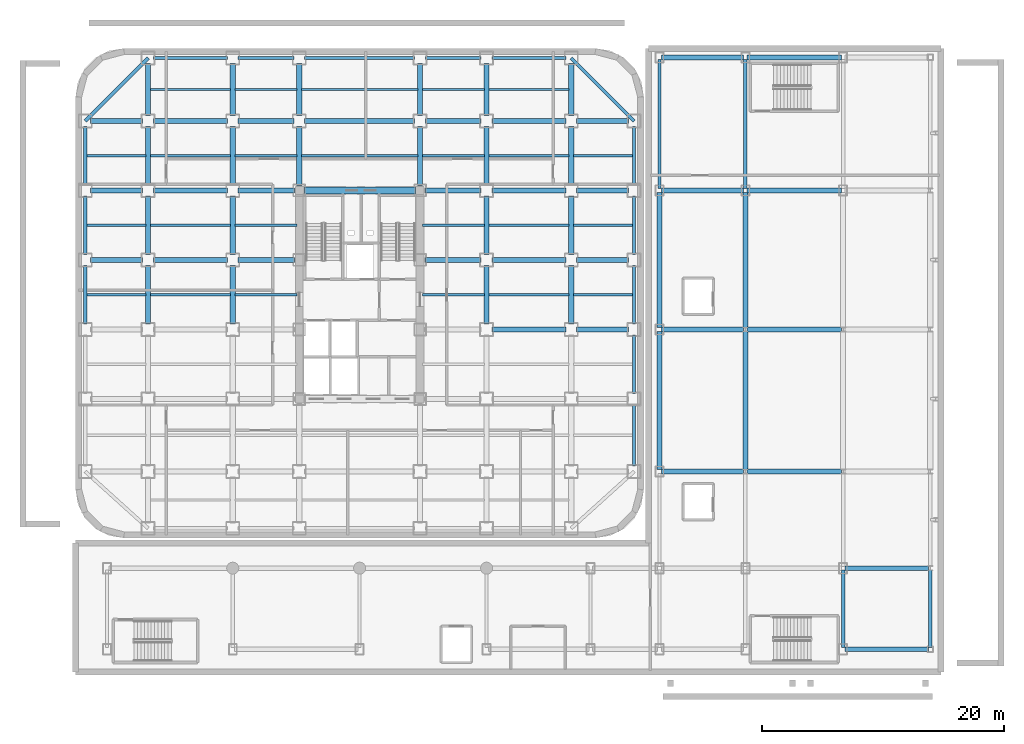
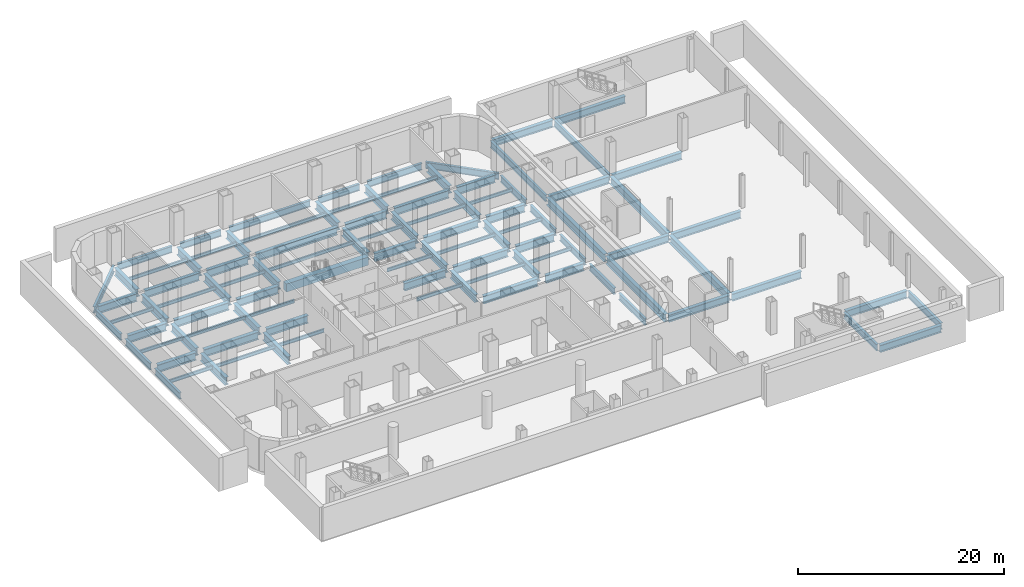
# One storey, part 6 of 16: 99 beams.
"""IFC4 building model written with IfcOpenShell, lengths in metres."""

import ifcopenshell
import ifcopenshell.guid

model = None  # the IFC model being written
_history = None  # IfcOwnerHistory: only IFC2X3 demands one
_inside = {}  # id of a spatial element -> (the spatial element, [elements in it])
_under = {}  # id of a project, library or spatial element -> (it, [spatial elements below it])
_declared = {}  # id of a project -> (the project, [libraries it declares])
_typed = {}  # id of a type object -> (the type object, [elements of that type])
_made_of = {}  # id of a material, layer set ... -> (it, [elements and type objects made of it])


def new_model(schema):
    """Start an empty IFC model of exactly this schema.

    Asked for "IFC4X3", IfcOpenShell would pick the latest addendum, in which some entities
    have other attributes; the version numbers below select the first issue.
    IFC2X3 requires an IfcOwnerHistory on every rooted entity: one is made here for all.
    """
    global model, _history
    if schema == "IFC4X3":
        model = ifcopenshell.file(schema_version=(4, 3, 0, 0))
    else:
        model = ifcopenshell.file(schema=schema)
    _inside.clear()
    _under.clear()
    _declared.clear()
    _typed.clear()
    _made_of.clear()
    _history = None
    if model.schema == "IFC2X3":
        org = make("IfcOrganization", Name="unknown")
        user = make(
            "IfcPersonAndOrganization",
            ThePerson=make("IfcPerson", FamilyName="unknown"),
            TheOrganization=org,
        )
        app = make(
            "IfcApplication",
            ApplicationDeveloper=org,
            Version="unknown",
            ApplicationFullName="unknown",
            ApplicationIdentifier="unknown",
        )
        _history = make(
            "IfcOwnerHistory",
            OwningUser=user,
            OwningApplication=app,
            ChangeAction="ADDED",
            CreationDate=0,
        )
    return model


def make(cls, **values):
    """One entity of the class cls with the attributes given. An attribute that is None is left unset."""
    return model.create_entity(
        cls, **{name: value for name, value in values.items() if value is not None}
    )


def rooted(cls, **values):
    """An entity with a GlobalId (a new one), such as an element, a storey or a relation."""
    return make(cls, GlobalId=ifcopenshell.guid.new(), OwnerHistory=_history, **values)


def si_unit(unit_type, name, prefix=None):
    """IfcSIUnit, for example si_unit("LENGTHUNIT", "METRE", prefix="MILLI")."""
    return make("IfcSIUnit", UnitType=unit_type, Prefix=prefix, Name=name)


def assignment(units):
    """IfcUnitAssignment: the units of a project."""
    return None if units is None else make("IfcUnitAssignment", Units=units)


def point(xyz):
    """IfcCartesianPoint."""
    return None if xyz is None else make("IfcCartesianPoint", Coordinates=xyz)


def direction(xyz):
    """IfcDirection."""
    return None if xyz is None else make("IfcDirection", DirectionRatios=xyz)


def frame(location, z_axis=None, x_axis=None):
    """IfcAxis2Placement3D, a coordinate frame: its origin and axes. An axis left out is left unset."""
    return make(
        "IfcAxis2Placement3D",
        Location=point(location),
        Axis=direction(z_axis),
        RefDirection=direction(x_axis),
    )


def frame_2d(location, x_axis=None):
    """IfcAxis2Placement2D, a coordinate frame in the plane: its origin and x axis."""
    return make(
        "IfcAxis2Placement2D", Location=point(location), RefDirection=direction(x_axis)
    )


def origin():
    """The frame at (0, 0, 0) with its axes left unset."""
    return frame((0.0, 0.0, 0.0))


def origin_2d():
    """The frame at (0, 0) in the plane with its x axis left unset."""
    return frame_2d((0.0, 0.0))


def place(relative_to, where):
    """IfcLocalPlacement: puts the frame where relative to a parent placement (None: the world)."""
    return make(
        "IfcLocalPlacement", PlacementRelTo=relative_to, RelativePlacement=where
    )


def context(
    kind, dimensions, precision=None, world=None, true_north=None, identifier=None
):
    """IfcGeometricRepresentationContext, for example the 3D "Model" context."""
    return make(
        "IfcGeometricRepresentationContext",
        ContextIdentifier=identifier,
        ContextType=kind,
        CoordinateSpaceDimension=dimensions,
        Precision=precision,
        WorldCoordinateSystem=world,
        TrueNorth=true_north,
    )


def subcontext(parent, identifier, kind, view, scale=None):
    """IfcGeometricRepresentationSubContext, for example "Body" below "Model"."""
    return make(
        "IfcGeometricRepresentationSubContext",
        ContextIdentifier=identifier,
        ContextType=kind,
        ParentContext=parent,
        TargetScale=scale,
        TargetView=view,
    )


def project(units=None, contexts=None):
    """IfcProject with its units and contexts."""
    return rooted(
        "IfcProject",
        Name="project",
        RepresentationContexts=contexts,
        UnitsInContext=assignment(units),
    )


def spatial(cls, under=None, at=None, **own):
    """A site, building, storey or space (cls), placed at a placement, below another one or the project."""
    s = rooted(cls, ObjectPlacement=at, **own)
    if under is not None:
        _under.setdefault(under.id(), (under, []))[1].append(s)
    return s


def profile(cls, at=None, kind="AREA", **sizes):
    """A parametric profile (cls). Its sizes go by their IFC names, for example OverallWidth=200.0."""
    return make(cls, ProfileType=kind, Position=at, **sizes)


def rectangle(**sizes):
    """IfcRectangleProfileDef."""
    return profile("IfcRectangleProfileDef", **sizes)


def i_section(**sizes):
    """IfcIShapeProfileDef."""
    return profile("IfcIShapeProfileDef", **sizes)


def extrude(swept, where, along, depth):
    """IfcExtrudedAreaSolid: the profile swept, set in the frame where, extruded along a direction by depth."""
    return make(
        "IfcExtrudedAreaSolid",
        SweptArea=swept,
        Position=where,
        ExtrudedDirection=direction(along),
        Depth=depth,
    )


def shape(context_of_items, identifier, shape_type, items):
    """IfcShapeRepresentation: the items that make up one representation, for example the "Body"."""
    return make(
        "IfcShapeRepresentation",
        ContextOfItems=context_of_items,
        RepresentationIdentifier=identifier,
        RepresentationType=shape_type,
        Items=items,
    )


def source(mapping_origin, context_of_items, identifier, shape_type, items):
    """IfcRepresentationMap: a shape defined once, which mapped items show again and again."""
    return make(
        "IfcRepresentationMap",
        MappingOrigin=mapping_origin,
        MappedRepresentation=shape(context_of_items, identifier, shape_type, items),
    )


def transform(
    local_origin,
    x_axis=None,
    y_axis=None,
    z_axis=None,
    scale=None,
    scale2=None,
    scale3=None,
    uniform=True,
):
    """IfcCartesianTransformationOperator3D, or its non-uniform kind. x_axis, y_axis, z_axis: its Axis1, 2, 3."""
    if uniform:
        return make(
            "IfcCartesianTransformationOperator3D",
            Axis1=direction(x_axis),
            Axis2=direction(y_axis),
            LocalOrigin=point(local_origin),
            Scale=scale,
            Axis3=direction(z_axis),
        )
    return make(
        "IfcCartesianTransformationOperator3DnonUniform",
        Axis1=direction(x_axis),
        Axis2=direction(y_axis),
        LocalOrigin=point(local_origin),
        Scale=scale,
        Axis3=direction(z_axis),
        Scale2=scale2,
        Scale3=scale3,
    )


def mapped(mapping_source, mapping_target):
    """IfcMappedItem: shows the shape of a source again, moved by a transform."""
    return make(
        "IfcMappedItem", MappingSource=mapping_source, MappingTarget=mapping_target
    )


def material(Name=None, Category=None):
    """IfcMaterial."""
    return make("IfcMaterial", Name=Name, Category=Category)


def material_profile(
    of_material, cross_section, Name=None, Category=None, Priority=None
):
    """IfcMaterialProfile: a cross section and its material."""
    return make(
        "IfcMaterialProfile",
        Name=Name,
        Material=of_material,
        Profile=cross_section,
        Priority=Priority,
        Category=Category,
    )


def profile_set(profiles, Name=None, composite=None):
    """IfcMaterialProfileSet."""
    return make(
        "IfcMaterialProfileSet",
        Name=Name,
        MaterialProfiles=profiles,
        CompositeProfile=composite,
    )


def made_of(thing, what):
    """Note that an element or type object is made of a material, layer set ...; save() writes the relation."""
    if what is not None:
        _made_of.setdefault(what.id(), (what, []))[1].append(thing)
    return thing


def type_object(cls, material=None, **own):
    """A type object (cls), such as IfcWallType, which elements share."""
    return made_of(rooted(cls, **own), material)


def element(
    cls,
    number,
    at=None,
    inside=None,
    cuts=None,
    type_object=None,
    material=None,
    context=None,
    identifier="Body",
    shape_type=None,
    held_by="IfcProductDefinitionShape",
    body=None,
    shapes=None,
    **own,
):
    """One element of the class cls, such as IfcWall. Its Tag is "e" and its number.

    at: its placement. inside: the storey or other place that contains it. cuts: it is an
    opening in that element (IfcRelVoidsElement). A single representation is given by context,
    identifier, shape_type and body (its items); several are given by shapes. held_by: the class
    of the entity that holds the representations. save() writes the other relations.
    """
    e = rooted(cls, Tag="e%d" % number, ObjectPlacement=at, **own)
    if body is not None:
        shapes = [shape(context, identifier, shape_type, body)]
    if shapes is not None:
        e.Representation = make(held_by, Representations=shapes)
    if inside is not None:
        _inside.setdefault(inside.id(), (inside, []))[1].append(e)
    if cuts is not None:
        rooted(
            "IfcRelVoidsElement", RelatingBuildingElement=cuts, RelatedOpeningElement=e
        )
    if type_object is not None:
        _typed.setdefault(type_object.id(), (type_object, []))[1].append(e)
    return made_of(e, material)


def aggregate(whole, parts):
    """IfcRelAggregates: a whole, such as a stair, and the parts it consists of."""
    return rooted("IfcRelAggregates", RelatingObject=whole, RelatedObjects=parts)


def save(model, path):
    """Write the relations noted so far, then the file.

    IfcRelAggregates (storeys below a building ...), IfcRelContainedInSpatialStructure (elements
    in a storey), IfcRelDefinesByType, IfcRelAssociatesMaterial and IfcRelDeclares: one each for
    every whole, place, type object, material and project.
    """
    for whole, parts in _under.values():
        aggregate(whole, parts)
    for where, things in _inside.values():
        rooted(
            "IfcRelContainedInSpatialStructure",
            RelatedElements=things,
            RelatingStructure=where,
        )
    for kind, things in _typed.values():
        rooted("IfcRelDefinesByType", RelatedObjects=things, RelatingType=kind)
    for what, things in _made_of.values():
        rooted("IfcRelAssociatesMaterial", RelatedObjects=things, RelatingMaterial=what)
    for by, libraries in _declared.values():
        rooted("IfcRelDeclares", RelatingContext=by, RelatedDefinitions=libraries)
    model.write(path)


model = new_model("IFC4")

# Units and contexts
model_context = context("Model", 3, precision=1e-05, world=origin(), true_north=direction((0.0, 1.0)))
body_context = subcontext(model_context, "Body", "Model", "MODEL_VIEW")
ifc_project = project(units=[si_unit("LENGTHUNIT", "METRE"), si_unit("AREAUNIT", "SQUARE_METRE"), si_unit("VOLUMEUNIT", "CUBIC_METRE"), si_unit("PLANEANGLEUNIT", "RADIAN"), si_unit("MASSUNIT", "GRAM", prefix="KILO")], contexts=[model_context])

# Site, building, storey
site_placement = place(None, origin())
site = spatial("IfcSite", under=ifc_project, at=site_placement, CompositionType="ELEMENT")
building_placement = place(site_placement, origin())
building = spatial("IfcBuilding", under=site, at=building_placement, Name="Kolveth Station Tower", CompositionType="ELEMENT")
storey_placement = place(building_placement, frame((0.0, 0.0, -4.199951171875)))
storey = spatial("IfcBuildingStorey", under=building, at=storey_placement, Name="B1", CompositionType="ELEMENT", Elevation=-4.199951171875)

# Beams
ifc_material_1 = material(Name="Steel S355", Category="steel")
ifc_material_profile_1 = material_profile(ifc_material_1, i_section(OverallWidth=0.26904296875, OverallDepth=0.77490234375, WebThickness=0.01708984375, FlangeThickness=0.0283203125, at=origin_2d()), Name="W760x220")
ifc_profile_set_1 = profile_set([ifc_material_profile_1], Name="Steel S355")
beam_type_1 = type_object("IfcBeamType", Name="Beam_SP1", PredefinedType="SPANDREL", material=ifc_profile_set_1)
shared_shape_1 = source(origin(), body_context, "Body", "SweptSolid", [
    extrude(i_section(OverallWidth=0.26904296875, OverallDepth=0.77490234375, WebThickness=0.01708984375, FlangeThickness=0.0283203125, at=origin_2d()), origin(), (0.0, 0.0, 1.0), 6.10009765625),
])
for number, where, z_axis, x_axis, name in (
    (1, (6.449951171875, 39.699951171875, -0.70751953125), (1.0, 0.0, 0.0), (0.0, 1.0, 0.0), "B1 Perimeter Spandrel BM-B1-PN-1"),
    (2, (34.449951171875, 39.699951171875, -0.70751953125), (1.0, 0.0, 0.0), (0.0, 1.0, 0.0), "B1 Perimeter Spandrel BM-B1-PN-5"),
):
    element("IfcBeam", number, at=place(storey_placement, frame(where, z_axis=z_axis, x_axis=x_axis)), inside=storey, type_object=beam_type_1, Name=name, PredefinedType="SPANDREL", context=body_context, shape_type="MappedRepresentation", body=[
        mapped(shared_shape_1, transform((0.0, 0.0, 0.0), x_axis=(1.0, 0.0, 0.0), y_axis=(0.0, 1.0, 0.0), z_axis=(0.0, 0.0, 1.0), scale=1.0)),
    ])
shared_shape_2 = source(origin(), body_context, "Body", "SweptSolid", [
    extrude(i_section(OverallWidth=0.26904296875, OverallDepth=0.77490234375, WebThickness=0.01708984375, FlangeThickness=0.0283203125, at=origin_2d()), origin(), (0.0, 0.0, 1.0), 4.60009765625),
])
for number, where, z_axis, x_axis, name in (
    (3, (13.449951171875, 39.699951171875, -0.70751953125), (1.0, 0.0, 0.0), (0.0, 1.0, 0.0), "B1 Perimeter Spandrel BM-B1-PN-2"),
    (4, (28.949951171875, 39.699951171875, -0.70751953125), (1.0, 0.0, 0.0), (0.0, 1.0, 0.0), "B1 Perimeter Spandrel BM-B1-PN-4"),
):
    element("IfcBeam", number, at=place(storey_placement, frame(where, z_axis=z_axis, x_axis=x_axis)), inside=storey, type_object=beam_type_1, Name=name, PredefinedType="SPANDREL", context=body_context, shape_type="MappedRepresentation", body=[
        mapped(shared_shape_2, transform((0.0, 0.0, 0.0), x_axis=(1.0, 0.0, 0.0), y_axis=(0.0, 1.0, 0.0), z_axis=(0.0, 0.0, 1.0), scale=1.0)),
    ])
shared_shape_3 = source(origin(), body_context, "Body", "SweptSolid", [
    extrude(i_section(OverallWidth=0.26904296875, OverallDepth=0.77490234375, WebThickness=0.01708984375, FlangeThickness=0.0283203125, at=origin_2d()), origin(), (0.0, 0.0, 1.0), 9.10009765625),
])
beam_1_placement = place(storey_placement, frame((18.949951171875, 39.699951171875, -0.70751953125), z_axis=(1.0, 0.0, 0.0), x_axis=(0.0, 1.0, 0.0)))
element("IfcBeam", 5, at=beam_1_placement, inside=storey, type_object=beam_type_1, Name="B1 Perimeter Spandrel BM-B1-PN-3", PredefinedType="SPANDREL", context=body_context, shape_type="MappedRepresentation", body=[
    mapped(shared_shape_3, transform((0.0, 0.0, 0.0), x_axis=(1.0, 0.0, 0.0), y_axis=(0.0, 1.0, 0.0), z_axis=(0.0, 0.0, 1.0), scale=1.0)),
])
shared_shape_4 = source(origin(), body_context, "Body", "SweptSolid", [
    extrude(i_section(OverallWidth=0.26904296875, OverallDepth=0.77490234375, WebThickness=0.01708984375, FlangeThickness=0.0283203125, at=origin_2d()), origin(), (0.0, 0.0, 1.0), 5.10009765625),
])
beam_2_placement = place(storey_placement, frame((46.199951171875, 5.949951171875, -0.70751953125), z_axis=(0.0, 1.0, 0.0), x_axis=(-1.0, 0.0, 0.0)))
element("IfcBeam", 6, at=beam_2_placement, inside=storey, type_object=beam_type_1, Name="B1 Perimeter Spandrel BM-B1-PE-1", PredefinedType="SPANDREL", context=body_context, shape_type="MappedRepresentation", body=[
    mapped(shared_shape_4, transform((0.0, 0.0, 0.0), x_axis=(1.0, 0.0, 0.0), y_axis=(0.0, 1.0, 0.0), z_axis=(0.0, 0.0, 1.0), scale=1.0)),
])
shared_shape_5 = source(origin(), body_context, "Body", "SweptSolid", [
    extrude(i_section(OverallWidth=0.26904296875, OverallDepth=0.77490234375, WebThickness=0.01708984375, FlangeThickness=0.0283203125, at=origin_2d()), origin(), (0.0, 0.0, 1.0), 4.85009765625),
])
for number, where, z_axis, x_axis, name in (
    (7, (0.800048828125, 17.699951171875, -0.70751953125), (0.0, 1.0, 0.0), (-1.0, 0.0, 0.0), "B1 Perimeter Spandrel BM-B1-PW-3"),
    (8, (0.800048828125, 23.449951171875, -0.70751953125), (0.0, 1.0, 0.0), (-1.0, 0.0, 0.0), "B1 Perimeter Spandrel BM-B1-PW-4"),
    (9, (0.800048828125, 29.199951171875, -0.70751953125), (0.0, 1.0, 0.0), (-1.0, 0.0, 0.0), "B1 Perimeter Spandrel BM-B1-PW-5"),
    (10, (46.199951171875, 11.949951171875, -0.70751953125), (0.0, 1.0, 0.0), (-1.0, 0.0, 0.0), "B1 Perimeter Spandrel BM-B1-PE-2"),
    (11, (46.199951171875, 17.699951171875, -0.70751953125), (0.0, 1.0, 0.0), (-1.0, 0.0, 0.0), "B1 Perimeter Spandrel BM-B1-PE-3"),
    (12, (46.199951171875, 23.449951171875, -0.70751953125), (0.0, 1.0, 0.0), (-1.0, 0.0, 0.0), "B1 Perimeter Spandrel BM-B1-PE-4"),
    (13, (46.199951171875, 29.199951171875, -0.70751953125), (0.0, 1.0, 0.0), (-1.0, 0.0, 0.0), "B1 Perimeter Spandrel BM-B1-PE-5"),
):
    element("IfcBeam", number, at=place(storey_placement, frame(where, z_axis=z_axis, x_axis=x_axis)), inside=storey, type_object=beam_type_1, Name=name, PredefinedType="SPANDREL", context=body_context, shape_type="MappedRepresentation", body=[
        mapped(shared_shape_5, transform((0.0, 0.0, 0.0), x_axis=(1.0, 0.0, 0.0), y_axis=(0.0, 1.0, 0.0), z_axis=(0.0, 0.0, 1.0), scale=1.0)),
    ])
shared_shape_6 = source(origin(), body_context, "Body", "SweptSolid", [
    extrude(i_section(OverallWidth=0.26904296875, OverallDepth=0.77490234375, WebThickness=0.01708984375, FlangeThickness=0.0283203125, at=origin_2d()), origin(), (0.0, 0.0, 1.0), 7.353759765625),
])
for number, where, z_axis, x_axis, name in (
    (14, (46.199951171875, 34.5, -0.70751953125), (-0.707106781187, 0.707106781187, 0.0), (-0.707106781187, -0.707106781187, 0.0), "B1 Corner Edge Girder BM-B1-CNR-NE"),
    (15, (6.0, 39.699951171875, -0.70751953125), (-0.707106781187, -0.707106781187, 0.0), (0.707106781187, -0.707106781187, 0.0), "B1 Corner Edge Girder BM-B1-CNR-NW"),
):
    element("IfcBeam", number, at=place(storey_placement, frame(where, z_axis=z_axis, x_axis=x_axis)), inside=storey, type_object=beam_type_1, Name=name, PredefinedType="SPANDREL", context=body_context, shape_type="MappedRepresentation", body=[
        mapped(shared_shape_6, transform((0.0, 0.0, 0.0), x_axis=(1.0, 0.0, 0.0), y_axis=(0.0, 1.0, 0.0), z_axis=(0.0, 0.0, 1.0), scale=1.0)),
    ])
ifc_material_profile_2 = material_profile(ifc_material_1, i_section(OverallWidth=0.41796875, OverallDepth=0.912109375, WebThickness=0.019287109375, FlangeThickness=0.031982421875, at=origin_2d()), Name="W920x342")
ifc_profile_set_2 = profile_set([ifc_material_profile_2], Name="Steel S355")
beam_type_2 = type_object("IfcBeamType", Name="Beam_B1", PredefinedType="BEAM", material=ifc_profile_set_2)
shared_shape_7 = source(origin(), body_context, "Body", "SweptSolid", [
    extrude(i_section(OverallWidth=0.41796875, OverallDepth=0.912109375, WebThickness=0.019287109375, FlangeThickness=0.031982421875, at=origin_2d()), origin(), (0.0, 0.0, 1.0), 4.300048828125),
])
for number, where, z_axis, x_axis, name in (
    (16, (41.449951171875, 17.25, -0.776123046875), (1.0, 0.0, 0.0), (0.0, 1.0, 0.0), "B1 Primary Girder BM-B1-GY172-7"),
    (17, (1.25, 23.0, -0.776123046875), (1.0, 0.0, 0.0), (0.0, 1.0, 0.0), "B1 Primary Girder BM-B1-GY230-1"),
    (18, (41.449951171875, 23.0, -0.776123046875), (1.0, 0.0, 0.0), (0.0, 1.0, 0.0), "B1 Primary Girder BM-B1-GY230-7"),
    (19, (1.25, 28.75, -0.776123046875), (1.0, 0.0, 0.0), (0.0, 1.0, 0.0), "B1 Primary Girder BM-B1-GY287-1"),
    (20, (41.449951171875, 28.75, -0.776123046875), (1.0, 0.0, 0.0), (0.0, 1.0, 0.0), "B1 Primary Girder BM-B1-GY287-7"),
    (21, (1.25, 34.5, -0.776123046875), (1.0, 0.0, 0.0), (0.0, 1.0, 0.0), "B1 Primary Girder BM-B1-GY345-1"),
    (22, (41.449951171875, 34.5, -0.776123046875), (1.0, 0.0, 0.0), (0.0, 1.0, 0.0), "B1 Primary Girder BM-B1-GY345-7"),
    (23, (6.0, 34.949951171875, -0.776123046875), (0.0, 1.0, 0.0), (-1.0, 0.0, 0.0), "B1 Primary Girder BM-B1-GX60-7"),
    (24, (13.0, 34.949951171875, -0.776123046875), (0.0, 1.0, 0.0), (-1.0, 0.0, 0.0), "B1 Primary Girder BM-B1-GX130-7"),
    (25, (18.5, 34.949951171875, -0.776123046875), (0.0, 1.0, 0.0), (-1.0, 0.0, 0.0), "B1 Primary Girder BM-B1-GX185-7"),
    (26, (28.5, 34.949951171875, -0.776123046875), (0.0, 1.0, 0.0), (-1.0, 0.0, 0.0), "B1 Primary Girder BM-B1-GX285-7"),
    (27, (34.0, 34.949951171875, -0.776123046875), (0.0, 1.0, 0.0), (-1.0, 0.0, 0.0), "B1 Primary Girder BM-B1-GX340-7"),
    (28, (41.0, 34.949951171875, -0.776123046875), (0.0, 1.0, 0.0), (-1.0, 0.0, 0.0), "B1 Primary Girder BM-B1-GX410-7"),
):
    element("IfcBeam", number, at=place(storey_placement, frame(where, z_axis=z_axis, x_axis=x_axis)), inside=storey, type_object=beam_type_2, Name=name, PredefinedType="BEAM", context=body_context, shape_type="MappedRepresentation", body=[
        mapped(shared_shape_7, transform((0.0, 0.0, 0.0), x_axis=(1.0, 0.0, 0.0), y_axis=(0.0, 1.0, 0.0), z_axis=(0.0, 0.0, 1.0), scale=1.0)),
    ])
shared_shape_8 = source(origin(), body_context, "Body", "SweptSolid", [
    extrude(i_section(OverallWidth=0.41796875, OverallDepth=0.912109375, WebThickness=0.019287109375, FlangeThickness=0.031982421875, at=origin_2d()), origin(), (0.0, 0.0, 1.0), 6.10009765625),
])
for number, where, z_axis, x_axis, name in (
    (29, (34.449951171875, 17.25, -0.776123046875), (1.0, 0.0, 0.0), (0.0, 1.0, 0.0), "B1 Primary Girder BM-B1-GY172-6"),
    (30, (6.449951171875, 23.0, -0.776123046875), (1.0, 0.0, 0.0), (0.0, 1.0, 0.0), "B1 Primary Girder BM-B1-GY230-2"),
    (31, (34.449951171875, 23.0, -0.776123046875), (1.0, 0.0, 0.0), (0.0, 1.0, 0.0), "B1 Primary Girder BM-B1-GY230-6"),
    (32, (6.449951171875, 28.75, -0.776123046875), (1.0, 0.0, 0.0), (0.0, 1.0, 0.0), "B1 Primary Girder BM-B1-GY287-2"),
    (33, (34.449951171875, 28.75, -0.776123046875), (1.0, 0.0, 0.0), (0.0, 1.0, 0.0), "B1 Primary Girder BM-B1-GY287-6"),
    (34, (6.449951171875, 34.5, -0.776123046875), (1.0, 0.0, 0.0), (0.0, 1.0, 0.0), "B1 Primary Girder BM-B1-GY345-2"),
    (35, (34.449951171875, 34.5, -0.776123046875), (1.0, 0.0, 0.0), (0.0, 1.0, 0.0), "B1 Primary Girder BM-B1-GY345-6"),
):
    element("IfcBeam", number, at=place(storey_placement, frame(where, z_axis=z_axis, x_axis=x_axis)), inside=storey, type_object=beam_type_2, Name=name, PredefinedType="BEAM", context=body_context, shape_type="MappedRepresentation", body=[
        mapped(shared_shape_8, transform((0.0, 0.0, 0.0), x_axis=(1.0, 0.0, 0.0), y_axis=(0.0, 1.0, 0.0), z_axis=(0.0, 0.0, 1.0), scale=1.0)),
    ])
shared_shape_9 = source(origin(), body_context, "Body", "SweptSolid", [
    extrude(i_section(OverallWidth=0.41796875, OverallDepth=0.912109375, WebThickness=0.019287109375, FlangeThickness=0.031982421875, at=origin_2d()), origin(), (0.0, 0.0, 1.0), 4.60009765625),
])
for number, where, z_axis, x_axis, name in (
    (36, (13.449951171875, 34.5, -0.776123046875), (1.0, 0.0, 0.0), (0.0, 1.0, 0.0), "B1 Primary Girder BM-B1-GY345-3"),
    (37, (28.949951171875, 34.5, -0.776123046875), (1.0, 0.0, 0.0), (0.0, 1.0, 0.0), "B1 Primary Girder BM-B1-GY345-5"),
):
    element("IfcBeam", number, at=place(storey_placement, frame(where, z_axis=z_axis, x_axis=x_axis)), inside=storey, type_object=beam_type_2, Name=name, PredefinedType="BEAM", context=body_context, shape_type="MappedRepresentation", body=[
        mapped(shared_shape_9, transform((0.0, 0.0, 0.0), x_axis=(1.0, 0.0, 0.0), y_axis=(0.0, 1.0, 0.0), z_axis=(0.0, 0.0, 1.0), scale=1.0)),
    ])
shared_shape_10 = source(origin(), body_context, "Body", "SweptSolid", [
    extrude(i_section(OverallWidth=0.41796875, OverallDepth=0.912109375, WebThickness=0.019287109375, FlangeThickness=0.031982421875, at=origin_2d()), origin(), (0.0, 0.0, 1.0), 9.10009765625),
])
beam_3_placement = place(storey_placement, frame((18.949951171875, 34.5, -0.776123046875), z_axis=(1.0, 0.0, 0.0), x_axis=(0.0, 1.0, 0.0)))
element("IfcBeam", 38, at=beam_3_placement, inside=storey, type_object=beam_type_2, Name="B1 Primary Girder BM-B1-GY345-4", PredefinedType="BEAM", context=body_context, shape_type="MappedRepresentation", body=[
    mapped(shared_shape_10, transform((0.0, 0.0, 0.0), x_axis=(1.0, 0.0, 0.0), y_axis=(0.0, 1.0, 0.0), z_axis=(0.0, 0.0, 1.0), scale=1.0)),
])
shared_shape_11 = source(origin(), body_context, "Body", "SweptSolid", [
    extrude(i_section(OverallWidth=0.41796875, OverallDepth=0.912109375, WebThickness=0.019287109375, FlangeThickness=0.031982421875, at=origin_2d()), origin(), (0.0, 0.0, 1.0), 4.650146484375),
])
for number, where, z_axis, x_axis, name in (
    (39, (13.449951171875, 23.0, -0.776123046875), (1.0, 0.0, 0.0), (0.0, 1.0, 0.0), "B1 Primary Girder BM-B1-GY230-3"),
    (40, (28.89990234375, 23.0, -0.776123046875), (1.0, 0.0, 0.0), (0.0, 1.0, 0.0), "B1 Primary Girder BM-B1-GY230-5"),
    (41, (13.449951171875, 28.75, -0.776123046875), (1.0, 0.0, 0.0), (0.0, 1.0, 0.0), "B1 Primary Girder BM-B1-GY287-3"),
    (42, (28.89990234375, 28.75, -0.776123046875), (1.0, 0.0, 0.0), (0.0, 1.0, 0.0), "B1 Primary Girder BM-B1-GY287-5"),
):
    element("IfcBeam", number, at=place(storey_placement, frame(where, z_axis=z_axis, x_axis=x_axis)), inside=storey, type_object=beam_type_2, Name=name, PredefinedType="BEAM", context=body_context, shape_type="MappedRepresentation", body=[
        mapped(shared_shape_11, transform((0.0, 0.0, 0.0), x_axis=(1.0, 0.0, 0.0), y_axis=(0.0, 1.0, 0.0), z_axis=(0.0, 0.0, 1.0), scale=1.0)),
    ])
ifc_material_2 = material(Name="Concrete C60/75", Category="concrete")
ifc_material_profile_3 = material_profile(ifc_material_2, rectangle(XDim=0.60009765625, YDim=0.949951171875, at=origin_2d()), Name="RC-600x950")
ifc_profile_set_3 = profile_set([ifc_material_profile_3], Name="Concrete C60/75")
beam_type_3 = type_object("IfcBeamType", Name="Beam_CB1", PredefinedType="BEAM", material=ifc_profile_set_3)
shared_shape_12 = source(origin(), body_context, "Body", "SweptSolid", [
    extrude(rectangle(XDim=0.60009765625, YDim=0.949951171875, at=origin_2d()), origin(), (0.0, 0.0, 1.0), 9.2001953125),
])
beam_4_placement = place(storey_placement, frame((18.89990234375, 28.75, -0.795166015625), z_axis=(1.0, 0.0, 0.0), x_axis=(0.0, 1.0, 0.0)))
element("IfcBeam", 43, at=beam_4_placement, inside=storey, type_object=beam_type_3, Name="B1 Core Coupling Beam BM-B1-CB-Y287", PredefinedType="BEAM", context=body_context, shape_type="MappedRepresentation", body=[
    mapped(shared_shape_12, transform((0.0, 0.0, 0.0), x_axis=(1.0, 0.0, 0.0), y_axis=(0.0, 1.0, 0.0), z_axis=(0.0, 0.0, 1.0), scale=1.0)),
])
shared_shape_13 = source(origin(), body_context, "Body", "SweptSolid", [
    extrude(i_section(OverallWidth=0.41796875, OverallDepth=0.912109375, WebThickness=0.019287109375, FlangeThickness=0.031982421875, at=origin_2d()), origin(), (0.0, 0.0, 1.0), 4.85009765625),
])
for number, where, z_axis, x_axis, name in (
    (44, (6.0, 17.699951171875, -0.776123046875), (0.0, 1.0, 0.0), (-1.0, 0.0, 0.0), "B1 Primary Girder BM-B1-GX60-4"),
    (45, (6.0, 23.449951171875, -0.776123046875), (0.0, 1.0, 0.0), (-1.0, 0.0, 0.0), "B1 Primary Girder BM-B1-GX60-5"),
    (46, (6.0, 29.199951171875, -0.776123046875), (0.0, 1.0, 0.0), (-1.0, 0.0, 0.0), "B1 Primary Girder BM-B1-GX60-6"),
    (47, (13.0, 17.699951171875, -0.776123046875), (0.0, 1.0, 0.0), (-1.0, 0.0, 0.0), "B1 Primary Girder BM-B1-GX130-4"),
    (48, (13.0, 23.449951171875, -0.776123046875), (0.0, 1.0, 0.0), (-1.0, 0.0, 0.0), "B1 Primary Girder BM-B1-GX130-5"),
    (49, (13.0, 29.199951171875, -0.776123046875), (0.0, 1.0, 0.0), (-1.0, 0.0, 0.0), "B1 Primary Girder BM-B1-GX130-6"),
    (50, (34.0, 17.699951171875, -0.776123046875), (0.0, 1.0, 0.0), (-1.0, 0.0, 0.0), "B1 Primary Girder BM-B1-GX340-4"),
    (51, (34.0, 23.449951171875, -0.776123046875), (0.0, 1.0, 0.0), (-1.0, 0.0, 0.0), "B1 Primary Girder BM-B1-GX340-5"),
    (52, (34.0, 29.199951171875, -0.776123046875), (0.0, 1.0, 0.0), (-1.0, 0.0, 0.0), "B1 Primary Girder BM-B1-GX340-6"),
    (53, (41.0, 17.699951171875, -0.776123046875), (0.0, 1.0, 0.0), (-1.0, 0.0, 0.0), "B1 Primary Girder BM-B1-GX410-4"),
    (54, (41.0, 23.449951171875, -0.776123046875), (0.0, 1.0, 0.0), (-1.0, 0.0, 0.0), "B1 Primary Girder BM-B1-GX410-5"),
    (55, (41.0, 29.199951171875, -0.776123046875), (0.0, 1.0, 0.0), (-1.0, 0.0, 0.0), "B1 Primary Girder BM-B1-GX410-6"),
):
    element("IfcBeam", number, at=place(storey_placement, frame(where, z_axis=z_axis, x_axis=x_axis)), inside=storey, type_object=beam_type_2, Name=name, PredefinedType="BEAM", context=body_context, shape_type="MappedRepresentation", body=[
        mapped(shared_shape_13, transform((0.0, 0.0, 0.0), x_axis=(1.0, 0.0, 0.0), y_axis=(0.0, 1.0, 0.0), z_axis=(0.0, 0.0, 1.0), scale=1.0)),
    ])
shared_shape_14 = source(origin(), body_context, "Body", "SweptSolid", [
    extrude(i_section(OverallWidth=0.41796875, OverallDepth=0.912109375, WebThickness=0.019287109375, FlangeThickness=0.031982421875, at=origin_2d()), origin(), (0.0, 0.0, 1.0), 4.900146484375),
])
for number, where, z_axis, x_axis, name in (
    (56, (18.5, 29.14990234375, -0.776123046875), (0.0, 1.0, 0.0), (-1.0, 0.0, 0.0), "B1 Primary Girder BM-B1-GX185-6"),
    (57, (28.5, 29.14990234375, -0.776123046875), (0.0, 1.0, 0.0), (-1.0, 0.0, 0.0), "B1 Primary Girder BM-B1-GX285-6"),
):
    element("IfcBeam", number, at=place(storey_placement, frame(where, z_axis=z_axis, x_axis=x_axis)), inside=storey, type_object=beam_type_2, Name=name, PredefinedType="BEAM", context=body_context, shape_type="MappedRepresentation", body=[
        mapped(shared_shape_14, transform((0.0, 0.0, 0.0), x_axis=(1.0, 0.0, 0.0), y_axis=(0.0, 1.0, 0.0), z_axis=(0.0, 0.0, 1.0), scale=1.0)),
    ])
ifc_material_profile_4 = material_profile(ifc_material_1, i_section(OverallWidth=0.177978515625, OverallDepth=0.406982421875, WebThickness=0.0078125, FlangeThickness=0.0126953125, at=origin_2d()), Name="W410x60")
ifc_profile_set_4 = profile_set([ifc_material_profile_4], Name="Steel S355")
beam_type_4 = type_object("IfcBeamType", Name="Beam_J1", PredefinedType="JOIST", material=ifc_profile_set_4)
shared_shape_15 = source(origin(), body_context, "Body", "SweptSolid", [
    extrude(i_section(OverallWidth=0.177978515625, OverallDepth=0.406982421875, WebThickness=0.0078125, FlangeThickness=0.0126953125, at=origin_2d()), origin(), (0.0, 0.0, 1.0), 4.872314453125),
])
for number, where, z_axis, x_axis, name in (
    (58, (0.9326171875, 20.125, -0.5234375), (1.0, 0.0, 0.0), (0.0, 1.0, 0.0), "B1 Secondary Joist JST-B1-1-4"),
    (59, (0.9326171875, 25.875, -0.5234375), (1.0, 0.0, 0.0), (0.0, 1.0, 0.0), "B1 Secondary Joist JST-B1-1-5"),
    (60, (0.9326171875, 31.625, -0.5234375), (1.0, 0.0, 0.0), (0.0, 1.0, 0.0), "B1 Secondary Joist JST-B1-1-6"),
    (61, (41.195068359375, 20.125, -0.5234375), (1.0, 0.0, 0.0), (0.0, 1.0, 0.0), "B1 Secondary Joist JST-B1-7-4"),
    (62, (41.195068359375, 25.875, -0.5234375), (1.0, 0.0, 0.0), (0.0, 1.0, 0.0), "B1 Secondary Joist JST-B1-7-5"),
    (63, (41.195068359375, 31.625, -0.5234375), (1.0, 0.0, 0.0), (0.0, 1.0, 0.0), "B1 Secondary Joist JST-B1-7-6"),
):
    element("IfcBeam", number, at=place(storey_placement, frame(where, z_axis=z_axis, x_axis=x_axis)), inside=storey, type_object=beam_type_4, Name=name, PredefinedType="JOIST", context=body_context, shape_type="MappedRepresentation", body=[
        mapped(shared_shape_15, transform((0.0, 0.0, 0.0), x_axis=(1.0, 0.0, 0.0), y_axis=(0.0, 1.0, 0.0), z_axis=(0.0, 0.0, 1.0), scale=1.0)),
    ])
shared_shape_16 = source(origin(), body_context, "Body", "SweptSolid", [
    extrude(i_section(OverallWidth=0.177978515625, OverallDepth=0.406982421875, WebThickness=0.0078125, FlangeThickness=0.0126953125, at=origin_2d()), origin(), (0.0, 0.0, 1.0), 6.60986328125),
])
for number, where, z_axis, x_axis, name in (
    (64, (6.195068359375, 20.125, -0.5234375), (1.0, 0.0, 0.0), (0.0, 1.0, 0.0), "B1 Secondary Joist JST-B1-2-4"),
    (65, (6.195068359375, 25.875, -0.5234375), (1.0, 0.0, 0.0), (0.0, 1.0, 0.0), "B1 Secondary Joist JST-B1-2-5"),
    (66, (6.195068359375, 31.625, -0.5234375), (1.0, 0.0, 0.0), (0.0, 1.0, 0.0), "B1 Secondary Joist JST-B1-2-6"),
    (67, (6.195068359375, 37.10009765625, -0.5234375), (1.0, 0.0, 0.0), (0.0, 1.0, 0.0), "B1 Secondary Joist JST-B1-2-7"),
    (68, (34.195068359375, 20.125, -0.5234375), (1.0, 0.0, 0.0), (0.0, 1.0, 0.0), "B1 Secondary Joist JST-B1-6-4"),
    (69, (34.195068359375, 25.875, -0.5234375), (1.0, 0.0, 0.0), (0.0, 1.0, 0.0), "B1 Secondary Joist JST-B1-6-5"),
    (70, (34.195068359375, 31.625, -0.5234375), (1.0, 0.0, 0.0), (0.0, 1.0, 0.0), "B1 Secondary Joist JST-B1-6-6"),
    (71, (34.195068359375, 37.10009765625, -0.5234375), (1.0, 0.0, 0.0), (0.0, 1.0, 0.0), "B1 Secondary Joist JST-B1-6-7"),
):
    element("IfcBeam", number, at=place(storey_placement, frame(where, z_axis=z_axis, x_axis=x_axis)), inside=storey, type_object=beam_type_4, Name=name, PredefinedType="JOIST", context=body_context, shape_type="MappedRepresentation", body=[
        mapped(shared_shape_16, transform((0.0, 0.0, 0.0), x_axis=(1.0, 0.0, 0.0), y_axis=(0.0, 1.0, 0.0), z_axis=(0.0, 0.0, 1.0), scale=1.0)),
    ])
shared_shape_17 = source(origin(), body_context, "Body", "SweptSolid", [
    extrude(i_section(OverallWidth=0.177978515625, OverallDepth=0.406982421875, WebThickness=0.0078125, FlangeThickness=0.0126953125, at=origin_2d()), origin(), (0.0, 0.0, 1.0), 5.10986328125),
])
for number, where, z_axis, x_axis, name in (
    (72, (13.195068359375, 20.125, -0.5234375), (1.0, 0.0, 0.0), (0.0, 1.0, 0.0), "B1 Secondary Joist JST-B1-3-4"),
    (73, (13.195068359375, 25.875, -0.5234375), (1.0, 0.0, 0.0), (0.0, 1.0, 0.0), "B1 Secondary Joist JST-B1-3-5"),
    (74, (13.195068359375, 31.625, -0.5234375), (1.0, 0.0, 0.0), (0.0, 1.0, 0.0), "B1 Secondary Joist JST-B1-3-6"),
    (75, (13.195068359375, 37.10009765625, -0.5234375), (1.0, 0.0, 0.0), (0.0, 1.0, 0.0), "B1 Secondary Joist JST-B1-3-7"),
    (76, (28.695068359375, 20.125, -0.5234375), (1.0, 0.0, 0.0), (0.0, 1.0, 0.0), "B1 Secondary Joist JST-B1-5-4"),
    (77, (28.695068359375, 25.875, -0.5234375), (1.0, 0.0, 0.0), (0.0, 1.0, 0.0), "B1 Secondary Joist JST-B1-5-5"),
    (78, (28.695068359375, 31.625, -0.5234375), (1.0, 0.0, 0.0), (0.0, 1.0, 0.0), "B1 Secondary Joist JST-B1-5-6"),
    (79, (28.695068359375, 37.10009765625, -0.5234375), (1.0, 0.0, 0.0), (0.0, 1.0, 0.0), "B1 Secondary Joist JST-B1-5-7"),
):
    element("IfcBeam", number, at=place(storey_placement, frame(where, z_axis=z_axis, x_axis=x_axis)), inside=storey, type_object=beam_type_4, Name=name, PredefinedType="JOIST", context=body_context, shape_type="MappedRepresentation", body=[
        mapped(shared_shape_17, transform((0.0, 0.0, 0.0), x_axis=(1.0, 0.0, 0.0), y_axis=(0.0, 1.0, 0.0), z_axis=(0.0, 0.0, 1.0), scale=1.0)),
    ])
shared_shape_18 = source(origin(), body_context, "Body", "SweptSolid", [
    extrude(i_section(OverallWidth=0.177978515625, OverallDepth=0.406982421875, WebThickness=0.0078125, FlangeThickness=0.0126953125, at=origin_2d()), origin(), (0.0, 0.0, 1.0), 9.60986328125),
])
for number, where, z_axis, x_axis, name in (
    (80, (18.695068359375, 31.625, -0.5234375), (1.0, 0.0, 0.0), (0.0, 1.0, 0.0), "B1 Secondary Joist JST-B1-4-6"),
    (81, (18.695068359375, 37.10009765625, -0.5234375), (1.0, 0.0, 0.0), (0.0, 1.0, 0.0), "B1 Secondary Joist JST-B1-4-7"),
):
    element("IfcBeam", number, at=place(storey_placement, frame(where, z_axis=z_axis, x_axis=x_axis)), inside=storey, type_object=beam_type_4, Name=name, PredefinedType="JOIST", context=body_context, shape_type="MappedRepresentation", body=[
        mapped(shared_shape_18, transform((0.0, 0.0, 0.0), x_axis=(1.0, 0.0, 0.0), y_axis=(0.0, 1.0, 0.0), z_axis=(0.0, 0.0, 1.0), scale=1.0)),
    ])
ifc_material_profile_5 = material_profile(ifc_material_1, i_section(OverallWidth=0.40087890625, OverallDepth=0.85107421875, WebThickness=0.01611328125, FlangeThickness=0.025390625, at=origin_2d()), Name="W840x226")
ifc_profile_set_5 = profile_set([ifc_material_profile_5], Name="Steel S355")
beam_type_5 = type_object("IfcBeamType", Name="Beam_B2", PredefinedType="BEAM", material=ifc_profile_set_5)
shared_shape_19 = source(origin(), body_context, "Body", "SweptSolid", [
    extrude(i_section(OverallWidth=0.40087890625, OverallDepth=0.85107421875, WebThickness=0.01611328125, FlangeThickness=0.025390625, at=origin_2d()), origin(), (0.0, 0.0, 1.0), 6.800048828125),
])
for number, where, z_axis, x_axis, name in (
    (82, (48.449951171875, 5.5, -0.74560546875), (1.0, 0.0, 0.0), (0.0, 1.0, 0.0), "B1 Station Portal Girder SBM-B1-EW-3-1"),
    (83, (48.449951171875, 17.25, -0.74560546875), (1.0, 0.0, 0.0), (0.0, 1.0, 0.0), "B1 Station Portal Girder SBM-B1-EW-4-1"),
    (84, (48.449951171875, 28.75, -0.74560546875), (1.0, 0.0, 0.0), (0.0, 1.0, 0.0), "B1 Station Portal Girder SBM-B1-EW-5-1"),
    (85, (48.449951171875, 39.75, -0.74560546875), (1.0, 0.0, 0.0), (0.0, 1.0, 0.0), "B1 Station Portal Girder SBM-B1-EW-6-1"),
):
    element("IfcBeam", number, at=place(storey_placement, frame(where, z_axis=z_axis, x_axis=x_axis)), inside=storey, type_object=beam_type_5, Name=name, PredefinedType="BEAM", context=body_context, shape_type="MappedRepresentation", body=[
        mapped(shared_shape_19, transform((0.0, 0.0, 0.0), x_axis=(1.0, 0.0, 0.0), y_axis=(0.0, 1.0, 0.0), z_axis=(0.0, 0.0, 1.0), scale=1.0)),
    ])
shared_shape_20 = source(origin(), body_context, "Body", "SweptSolid", [
    extrude(i_section(OverallWidth=0.40087890625, OverallDepth=0.85107421875, WebThickness=0.01611328125, FlangeThickness=0.025390625, at=origin_2d()), origin(), (0.0, 0.0, 1.0), 6.900146484375),
])
for number, where, z_axis, x_axis, name in (
    (86, (63.64990234375, -9.199951171875, -0.74560546875), (1.0, 0.0, 0.0), (0.0, 1.0, 0.0), "B1 Station Portal Girder SBM-B1-EW-1-3"),
    (87, (63.64990234375, -2.5, -0.74560546875), (1.0, 0.0, 0.0), (0.0, 1.0, 0.0), "B1 Station Portal Girder SBM-B1-EW-2-3"),
):
    element("IfcBeam", number, at=place(storey_placement, frame(where, z_axis=z_axis, x_axis=x_axis)), inside=storey, type_object=beam_type_5, Name=name, PredefinedType="BEAM", context=body_context, shape_type="MappedRepresentation", body=[
        mapped(shared_shape_20, transform((0.0, 0.0, 0.0), x_axis=(1.0, 0.0, 0.0), y_axis=(0.0, 1.0, 0.0), z_axis=(0.0, 0.0, 1.0), scale=1.0)),
    ])
shared_shape_21 = source(origin(), body_context, "Body", "SweptSolid", [
    extrude(i_section(OverallWidth=0.40087890625, OverallDepth=0.85107421875, WebThickness=0.01611328125, FlangeThickness=0.025390625, at=origin_2d()), origin(), (0.0, 0.0, 1.0), 7.800048828125),
])
for number, where, z_axis, x_axis, name in (
    (88, (55.550048828125, 5.5, -0.74560546875), (1.0, 0.0, 0.0), (0.0, 1.0, 0.0), "B1 Station Portal Girder SBM-B1-EW-3-2"),
    (89, (55.550048828125, 17.25, -0.74560546875), (1.0, 0.0, 0.0), (0.0, 1.0, 0.0), "B1 Station Portal Girder SBM-B1-EW-4-2"),
    (90, (55.550048828125, 28.75, -0.74560546875), (1.0, 0.0, 0.0), (0.0, 1.0, 0.0), "B1 Station Portal Girder SBM-B1-EW-5-2"),
    (91, (55.550048828125, 39.75, -0.74560546875), (1.0, 0.0, 0.0), (0.0, 1.0, 0.0), "B1 Station Portal Girder SBM-B1-EW-6-2"),
):
    element("IfcBeam", number, at=place(storey_placement, frame(where, z_axis=z_axis, x_axis=x_axis)), inside=storey, type_object=beam_type_5, Name=name, PredefinedType="BEAM", context=body_context, shape_type="MappedRepresentation", body=[
        mapped(shared_shape_21, transform((0.0, 0.0, 0.0), x_axis=(1.0, 0.0, 0.0), y_axis=(0.0, 1.0, 0.0), z_axis=(0.0, 0.0, 1.0), scale=1.0)),
    ])
ifc_material_profile_6 = material_profile(ifc_material_1, i_section(OverallWidth=0.26708984375, OverallDepth=0.76611328125, WebThickness=0.014892578125, FlangeThickness=0.023681640625, at=origin_2d()), Name="W760x185")
ifc_profile_set_6 = profile_set([ifc_material_profile_6], Name="Steel S355")
beam_type_6 = type_object("IfcBeamType", Name="Beam_B3", PredefinedType="BEAM", material=ifc_profile_set_6)
shared_shape_22 = source(origin(), body_context, "Body", "SweptSolid", [
    extrude(i_section(OverallWidth=0.26708984375, OverallDepth=0.76611328125, WebThickness=0.014892578125, FlangeThickness=0.023681640625, at=origin_2d()), origin(), (0.0, 0.0, 1.0), 6.400146484375),
])
for number, where, z_axis, x_axis, name in (
    (92, (63.5, -9.050048828125, -0.703125), (0.0, 1.0, 0.0), (-1.0, 0.0, 0.0), "B1 Station Spine Girder SBM-B1-NS-3-1"),
    (93, (70.699951171875, -9.050048828125, -0.703125), (0.0, 1.0, 0.0), (-1.0, 0.0, 0.0), "B1 Station Spine Girder SBM-B1-NS-4-1"),
):
    element("IfcBeam", number, at=place(storey_placement, frame(where, z_axis=z_axis, x_axis=x_axis)), inside=storey, type_object=beam_type_6, Name=name, PredefinedType="BEAM", context=body_context, shape_type="MappedRepresentation", body=[
        mapped(shared_shape_22, transform((0.0, 0.0, 0.0), x_axis=(1.0, 0.0, 0.0), y_axis=(0.0, 1.0, 0.0), z_axis=(0.0, 0.0, 1.0), scale=1.0)),
    ])
shared_shape_23 = source(origin(), body_context, "Body", "SweptSolid", [
    extrude(i_section(OverallWidth=0.41796875, OverallDepth=0.912109375, WebThickness=0.019287109375, FlangeThickness=0.031982421875, at=origin_2d()), origin(), (0.0, 0.0, 1.0), 11.4501953125),
])
for number, where, z_axis, x_axis, name in (
    (94, (48.300048828125, 5.64990234375, -0.776123046875), (0.0, 1.0, 0.0), (-1.0, 0.0, 0.0), "B1 Station Spine Girder SBM-B1-NS-1-3"),
    (95, (55.39990234375, 5.64990234375, -0.776123046875), (0.0, 1.0, 0.0), (-1.0, 0.0, 0.0), "B1 Station Spine Girder SBM-B1-NS-2-3"),
):
    element("IfcBeam", number, at=place(storey_placement, frame(where, z_axis=z_axis, x_axis=x_axis)), inside=storey, type_object=beam_type_2, Name=name, PredefinedType="BEAM", context=body_context, shape_type="MappedRepresentation", body=[
        mapped(shared_shape_23, transform((0.0, 0.0, 0.0), x_axis=(1.0, 0.0, 0.0), y_axis=(0.0, 1.0, 0.0), z_axis=(0.0, 0.0, 1.0), scale=1.0)),
    ])
shared_shape_24 = source(origin(), body_context, "Body", "SweptSolid", [
    extrude(i_section(OverallWidth=0.41796875, OverallDepth=0.912109375, WebThickness=0.019287109375, FlangeThickness=0.031982421875, at=origin_2d()), origin(), (0.0, 0.0, 1.0), 11.2001953125),
])
for number, where, z_axis, x_axis, name in (
    (96, (48.300048828125, 17.39990234375, -0.776123046875), (0.0, 1.0, 0.0), (-1.0, 0.0, 0.0), "B1 Station Spine Girder SBM-B1-NS-1-4"),
    (97, (55.39990234375, 17.39990234375, -0.776123046875), (0.0, 1.0, 0.0), (-1.0, 0.0, 0.0), "B1 Station Spine Girder SBM-B1-NS-2-4"),
):
    element("IfcBeam", number, at=place(storey_placement, frame(where, z_axis=z_axis, x_axis=x_axis)), inside=storey, type_object=beam_type_2, Name=name, PredefinedType="BEAM", context=body_context, shape_type="MappedRepresentation", body=[
        mapped(shared_shape_24, transform((0.0, 0.0, 0.0), x_axis=(1.0, 0.0, 0.0), y_axis=(0.0, 1.0, 0.0), z_axis=(0.0, 0.0, 1.0), scale=1.0)),
    ])
shared_shape_25 = source(origin(), body_context, "Body", "SweptSolid", [
    extrude(i_section(OverallWidth=0.26708984375, OverallDepth=0.76611328125, WebThickness=0.014892578125, FlangeThickness=0.023681640625, at=origin_2d()), origin(), (0.0, 0.0, 1.0), 10.7001953125),
])
for number, where, z_axis, x_axis, name in (
    (98, (48.300048828125, 28.89990234375, -0.703125), (0.0, 1.0, 0.0), (-1.0, 0.0, 0.0), "B1 Station Spine Girder SBM-B1-NS-1-5"),
    (99, (55.39990234375, 28.89990234375, -0.703125), (0.0, 1.0, 0.0), (-1.0, 0.0, 0.0), "B1 Station Spine Girder SBM-B1-NS-2-5"),
):
    element("IfcBeam", number, at=place(storey_placement, frame(where, z_axis=z_axis, x_axis=x_axis)), inside=storey, type_object=beam_type_6, Name=name, PredefinedType="BEAM", context=body_context, shape_type="MappedRepresentation", body=[
        mapped(shared_shape_25, transform((0.0, 0.0, 0.0), x_axis=(1.0, 0.0, 0.0), y_axis=(0.0, 1.0, 0.0), z_axis=(0.0, 0.0, 1.0), scale=1.0)),
    ])

save(model, "model.ifc")
